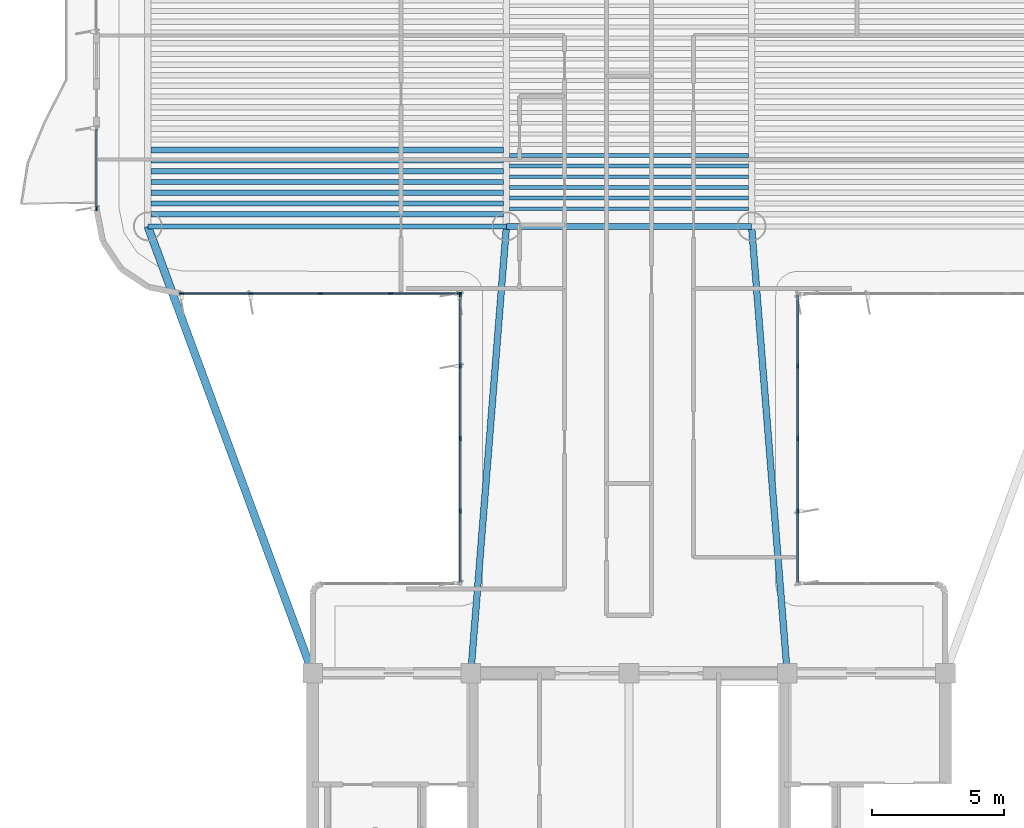
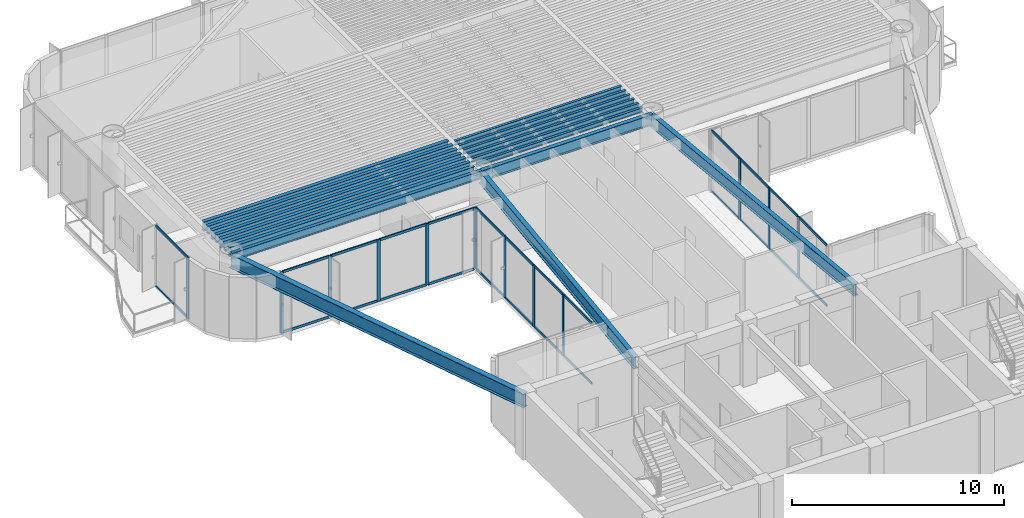
# One storey, part 3 of 14: 39 members, 18 beams, 4 elements without a shape of their own.
"""IFC4 building model written with IfcOpenShell, lengths in metres."""

import ifcopenshell
import ifcopenshell.guid

model = None  # the IFC model being written
_history = None  # IfcOwnerHistory: only IFC2X3 demands one
_inside = {}  # id of a spatial element -> (the spatial element, [elements in it])
_under = {}  # id of a project, library or spatial element -> (it, [spatial elements below it])
_declared = {}  # id of a project -> (the project, [libraries it declares])
_typed = {}  # id of a type object -> (the type object, [elements of that type])
_made_of = {}  # id of a material, layer set ... -> (it, [elements and type objects made of it])


def new_model(schema):
    """Start an empty IFC model of exactly this schema.

    Asked for "IFC4X3", IfcOpenShell would pick the latest addendum, in which some entities
    have other attributes; the version numbers below select the first issue.
    IFC2X3 requires an IfcOwnerHistory on every rooted entity: one is made here for all.
    """
    global model, _history
    if schema == "IFC4X3":
        model = ifcopenshell.file(schema_version=(4, 3, 0, 0))
    else:
        model = ifcopenshell.file(schema=schema)
    _inside.clear()
    _under.clear()
    _declared.clear()
    _typed.clear()
    _made_of.clear()
    _history = None
    if model.schema == "IFC2X3":
        org = make("IfcOrganization", Name="unknown")
        user = make(
            "IfcPersonAndOrganization",
            ThePerson=make("IfcPerson", FamilyName="unknown"),
            TheOrganization=org,
        )
        app = make(
            "IfcApplication",
            ApplicationDeveloper=org,
            Version="unknown",
            ApplicationFullName="unknown",
            ApplicationIdentifier="unknown",
        )
        _history = make(
            "IfcOwnerHistory",
            OwningUser=user,
            OwningApplication=app,
            ChangeAction="ADDED",
            CreationDate=0,
        )
    return model


def make(cls, **values):
    """One entity of the class cls with the attributes given. An attribute that is None is left unset."""
    return model.create_entity(
        cls, **{name: value for name, value in values.items() if value is not None}
    )


def rooted(cls, **values):
    """An entity with a GlobalId (a new one), such as an element, a storey or a relation."""
    return make(cls, GlobalId=ifcopenshell.guid.new(), OwnerHistory=_history, **values)


def si_unit(unit_type, name, prefix=None):
    """IfcSIUnit, for example si_unit("LENGTHUNIT", "METRE", prefix="MILLI")."""
    return make("IfcSIUnit", UnitType=unit_type, Prefix=prefix, Name=name)


def assignment(units):
    """IfcUnitAssignment: the units of a project."""
    return None if units is None else make("IfcUnitAssignment", Units=units)


def point(xyz):
    """IfcCartesianPoint."""
    return None if xyz is None else make("IfcCartesianPoint", Coordinates=xyz)


def direction(xyz):
    """IfcDirection."""
    return None if xyz is None else make("IfcDirection", DirectionRatios=xyz)


def frame(location, z_axis=None, x_axis=None):
    """IfcAxis2Placement3D, a coordinate frame: its origin and axes. An axis left out is left unset."""
    return make(
        "IfcAxis2Placement3D",
        Location=point(location),
        Axis=direction(z_axis),
        RefDirection=direction(x_axis),
    )


def frame_2d(location, x_axis=None):
    """IfcAxis2Placement2D, a coordinate frame in the plane: its origin and x axis."""
    return make(
        "IfcAxis2Placement2D", Location=point(location), RefDirection=direction(x_axis)
    )


def origin():
    """The frame at (0, 0, 0) with its axes left unset."""
    return frame((0.0, 0.0, 0.0))


def origin_2d():
    """The frame at (0, 0) in the plane with its x axis left unset."""
    return frame_2d((0.0, 0.0))


def place(relative_to, where):
    """IfcLocalPlacement: puts the frame where relative to a parent placement (None: the world)."""
    return make(
        "IfcLocalPlacement", PlacementRelTo=relative_to, RelativePlacement=where
    )


def context(
    kind, dimensions, precision=None, world=None, true_north=None, identifier=None
):
    """IfcGeometricRepresentationContext, for example the 3D "Model" context."""
    return make(
        "IfcGeometricRepresentationContext",
        ContextIdentifier=identifier,
        ContextType=kind,
        CoordinateSpaceDimension=dimensions,
        Precision=precision,
        WorldCoordinateSystem=world,
        TrueNorth=true_north,
    )


def subcontext(parent, identifier, kind, view, scale=None):
    """IfcGeometricRepresentationSubContext, for example "Body" below "Model"."""
    return make(
        "IfcGeometricRepresentationSubContext",
        ContextIdentifier=identifier,
        ContextType=kind,
        ParentContext=parent,
        TargetScale=scale,
        TargetView=view,
    )


def project(units=None, contexts=None):
    """IfcProject with its units and contexts."""
    return rooted(
        "IfcProject",
        Name="project",
        RepresentationContexts=contexts,
        UnitsInContext=assignment(units),
    )


def spatial(cls, under=None, at=None, **own):
    """A site, building, storey or space (cls), placed at a placement, below another one or the project."""
    s = rooted(cls, ObjectPlacement=at, **own)
    if under is not None:
        _under.setdefault(under.id(), (under, []))[1].append(s)
    return s


def profile(cls, at=None, kind="AREA", **sizes):
    """A parametric profile (cls). Its sizes go by their IFC names, for example OverallWidth=200.0."""
    return make(cls, ProfileType=kind, Position=at, **sizes)


def rectangle(**sizes):
    """IfcRectangleProfileDef."""
    return profile("IfcRectangleProfileDef", **sizes)


def i_section(**sizes):
    """IfcIShapeProfileDef."""
    return profile("IfcIShapeProfileDef", **sizes)


def extrude(swept, where, along, depth):
    """IfcExtrudedAreaSolid: the profile swept, set in the frame where, extruded along a direction by depth."""
    return make(
        "IfcExtrudedAreaSolid",
        SweptArea=swept,
        Position=where,
        ExtrudedDirection=direction(along),
        Depth=depth,
    )


def shape(context_of_items, identifier, shape_type, items):
    """IfcShapeRepresentation: the items that make up one representation, for example the "Body"."""
    return make(
        "IfcShapeRepresentation",
        ContextOfItems=context_of_items,
        RepresentationIdentifier=identifier,
        RepresentationType=shape_type,
        Items=items,
    )


def source(mapping_origin, context_of_items, identifier, shape_type, items):
    """IfcRepresentationMap: a shape defined once, which mapped items show again and again."""
    return make(
        "IfcRepresentationMap",
        MappingOrigin=mapping_origin,
        MappedRepresentation=shape(context_of_items, identifier, shape_type, items),
    )


def transform(
    local_origin,
    x_axis=None,
    y_axis=None,
    z_axis=None,
    scale=None,
    scale2=None,
    scale3=None,
    uniform=True,
):
    """IfcCartesianTransformationOperator3D, or its non-uniform kind. x_axis, y_axis, z_axis: its Axis1, 2, 3."""
    if uniform:
        return make(
            "IfcCartesianTransformationOperator3D",
            Axis1=direction(x_axis),
            Axis2=direction(y_axis),
            LocalOrigin=point(local_origin),
            Scale=scale,
            Axis3=direction(z_axis),
        )
    return make(
        "IfcCartesianTransformationOperator3DnonUniform",
        Axis1=direction(x_axis),
        Axis2=direction(y_axis),
        LocalOrigin=point(local_origin),
        Scale=scale,
        Axis3=direction(z_axis),
        Scale2=scale2,
        Scale3=scale3,
    )


def mapped(mapping_source, mapping_target):
    """IfcMappedItem: shows the shape of a source again, moved by a transform."""
    return make(
        "IfcMappedItem", MappingSource=mapping_source, MappingTarget=mapping_target
    )


def material(Name=None, Category=None):
    """IfcMaterial."""
    return make("IfcMaterial", Name=Name, Category=Category)


def layer(
    of_material, thickness, ventilated=None, Name=None, Category=None, Priority=None
):
    """IfcMaterialLayer: one layer of a wall or slab, of a material (None: an air gap)."""
    return make(
        "IfcMaterialLayer",
        Material=of_material,
        LayerThickness=thickness,
        IsVentilated=ventilated,
        Name=Name,
        Category=Category,
        Priority=Priority,
    )


def layer_set(layers, Name=None):
    """IfcMaterialLayerSet."""
    return make("IfcMaterialLayerSet", MaterialLayers=layers, LayerSetName=Name)


def material_profile(
    of_material, cross_section, Name=None, Category=None, Priority=None
):
    """IfcMaterialProfile: a cross section and its material."""
    return make(
        "IfcMaterialProfile",
        Name=Name,
        Material=of_material,
        Profile=cross_section,
        Priority=Priority,
        Category=Category,
    )


def profile_set(profiles, Name=None, composite=None):
    """IfcMaterialProfileSet."""
    return make(
        "IfcMaterialProfileSet",
        Name=Name,
        MaterialProfiles=profiles,
        CompositeProfile=composite,
    )


def made_of(thing, what):
    """Note that an element or type object is made of a material, layer set ...; save() writes the relation."""
    if what is not None:
        _made_of.setdefault(what.id(), (what, []))[1].append(thing)
    return thing


def type_object(cls, material=None, **own):
    """A type object (cls), such as IfcWallType, which elements share."""
    return made_of(rooted(cls, **own), material)


def element(
    cls,
    number,
    at=None,
    inside=None,
    cuts=None,
    type_object=None,
    material=None,
    context=None,
    identifier="Body",
    shape_type=None,
    held_by="IfcProductDefinitionShape",
    body=None,
    shapes=None,
    **own,
):
    """One element of the class cls, such as IfcWall. Its Tag is "e" and its number.

    at: its placement. inside: the storey or other place that contains it. cuts: it is an
    opening in that element (IfcRelVoidsElement). A single representation is given by context,
    identifier, shape_type and body (its items); several are given by shapes. held_by: the class
    of the entity that holds the representations. save() writes the other relations.
    """
    e = rooted(cls, Tag="e%d" % number, ObjectPlacement=at, **own)
    if body is not None:
        shapes = [shape(context, identifier, shape_type, body)]
    if shapes is not None:
        e.Representation = make(held_by, Representations=shapes)
    if inside is not None:
        _inside.setdefault(inside.id(), (inside, []))[1].append(e)
    if cuts is not None:
        rooted(
            "IfcRelVoidsElement", RelatingBuildingElement=cuts, RelatedOpeningElement=e
        )
    if type_object is not None:
        _typed.setdefault(type_object.id(), (type_object, []))[1].append(e)
    return made_of(e, material)


def aggregate(whole, parts):
    """IfcRelAggregates: a whole, such as a stair, and the parts it consists of."""
    return rooted("IfcRelAggregates", RelatingObject=whole, RelatedObjects=parts)


def save(model, path):
    """Write the relations noted so far, then the file.

    IfcRelAggregates (storeys below a building ...), IfcRelContainedInSpatialStructure (elements
    in a storey), IfcRelDefinesByType, IfcRelAssociatesMaterial and IfcRelDeclares: one each for
    every whole, place, type object, material and project.
    """
    for whole, parts in _under.values():
        aggregate(whole, parts)
    for where, things in _inside.values():
        rooted(
            "IfcRelContainedInSpatialStructure",
            RelatedElements=things,
            RelatingStructure=where,
        )
    for kind, things in _typed.values():
        rooted("IfcRelDefinesByType", RelatedObjects=things, RelatingType=kind)
    for what, things in _made_of.values():
        rooted("IfcRelAssociatesMaterial", RelatedObjects=things, RelatingMaterial=what)
    for by, libraries in _declared.values():
        rooted("IfcRelDeclares", RelatingContext=by, RelatedDefinitions=libraries)
    model.write(path)


model = new_model("IFC4")

# Units and contexts
model_context = context("Model", 3, precision=1e-05, world=origin(), true_north=direction((0.0, 1.0)))
body_context = subcontext(model_context, "Body", "Model", "MODEL_VIEW")
ifc_project = project(units=[si_unit("LENGTHUNIT", "METRE"), si_unit("AREAUNIT", "SQUARE_METRE"), si_unit("VOLUMEUNIT", "CUBIC_METRE"), si_unit("PLANEANGLEUNIT", "RADIAN"), si_unit("MASSUNIT", "GRAM", prefix="KILO")], contexts=[model_context])

# Site, building, storey
site_placement = place(None, origin())
site = spatial("IfcSite", under=ifc_project, at=site_placement, CompositionType="ELEMENT")
building_placement = place(site_placement, origin())
building = spatial("IfcBuilding", under=site, at=building_placement, Name="Brelvock Crest Care Tower", CompositionType="ELEMENT")
storey_placement = place(building_placement, frame((0.0, 0.0, 198.0)))
storey = spatial("IfcBuildingStorey", under=building, at=storey_placement, Name="L50", CompositionType="ELEMENT", Elevation=198.0)

# Beams
ifc_material_1 = material(Name="Steel Grade 350", Category="steel")
ifc_material_profile_1 = material_profile(ifc_material_1, i_section(OverallWidth=0.22900390625, OverallDepth=0.612060546875, WebThickness=0.011962890625, FlangeThickness=0.01953125, FilletRadius=0.013916015625, at=origin_2d()), Name="610UB125")
ifc_profile_set_1 = profile_set([ifc_material_profile_1], Name="Steel Grade 350")
beam_type_1 = type_object("IfcBeamType", Name="BM-G1", PredefinedType="BEAM", material=ifc_profile_set_1)
shared_shape_1 = source(origin(), body_context, "Body", "SweptSolid", [
    extrude(i_section(OverallWidth=0.22900390625, OverallDepth=0.612060546875, WebThickness=0.011962890625, FlangeThickness=0.01953125, FilletRadius=0.013916015625, at=origin_2d()), origin(), (0.0, 0.0, 1.0), 9.2998046875),
])
beam_1_placement = place(storey_placement, frame((31.35009765625, 34.949951171875, 3.22412109375), z_axis=(1.0, 0.0, 0.0), x_axis=(0.0, 1.0, 0.0)))
element("IfcBeam", 1, at=beam_1_placement, inside=storey, type_object=beam_type_1, Name="BM-TWR-L50-05", PredefinedType="BEAM", context=body_context, shape_type="MappedRepresentation", body=[
    mapped(shared_shape_1, transform((0.0, 0.0, 0.0), x_axis=(1.0, 0.0, 0.0), y_axis=(0.0, 1.0, 0.0), z_axis=(0.0, 0.0, 1.0), scale=1.0)),
])
ifc_material_profile_2 = material_profile(ifc_material_1, i_section(OverallWidth=0.14599609375, OverallDepth=0.256103515625, WebThickness=0.00634765625, FlangeThickness=0.010986328125, FilletRadius=0.0087890625, at=origin_2d()), Name="250UB37.3")
ifc_profile_set_2 = profile_set([ifc_material_profile_2], Name="Steel Grade 350")
beam_type_2 = type_object("IfcBeamType", Name="BM-J3", PredefinedType="JOIST", material=ifc_profile_set_2)
shared_shape_2 = source(origin(), body_context, "Body", "SweptSolid", [
    extrude(i_section(OverallWidth=0.14599609375, OverallDepth=0.256103515625, WebThickness=0.00634765625, FlangeThickness=0.010986328125, FilletRadius=0.0087890625, at=origin_2d()), origin(), (0.0, 0.0, 1.0), 9.06982421875),
])
for number, where, z_axis, x_axis, name in (
    (2, (31.465087890625, 35.618896484375, 3.402099609375), (1.0, 0.0, 0.0), (0.0, 1.0, 0.0), "BM-JH-L50-1"),
    (3, (31.465087890625, 36.02392578125, 3.402099609375), (1.0, 0.0, 0.0), (0.0, 1.0, 0.0), "BM-JH-L50-2"),
    (4, (31.465087890625, 36.42919921875, 3.402099609375), (1.0, 0.0, 0.0), (0.0, 1.0, 0.0), "BM-JH-L50-3"),
    (5, (31.465087890625, 36.834228515625, 3.402099609375), (1.0, 0.0, 0.0), (0.0, 1.0, 0.0), "BM-JH-L50-4"),
    (6, (31.465087890625, 37.239501953125, 3.402099609375), (1.0, 0.0, 0.0), (0.0, 1.0, 0.0), "BM-JH-L50-5"),
    (7, (31.465087890625, 37.64453125, 3.402099609375), (1.0, 0.0, 0.0), (0.0, 1.0, 0.0), "BM-JH-L50-6"),
):
    element("IfcBeam", number, at=place(storey_placement, frame(where, z_axis=z_axis, x_axis=x_axis)), inside=storey, type_object=beam_type_2, Name=name, PredefinedType="JOIST", context=body_context, shape_type="MappedRepresentation", body=[
        mapped(shared_shape_2, transform((0.0, 0.0, 0.0), x_axis=(1.0, 0.0, 0.0), y_axis=(0.0, 1.0, 0.0), z_axis=(0.0, 0.0, 1.0), scale=1.0)),
    ])
ifc_material_profile_3 = material_profile(ifc_material_1, i_section(OverallWidth=0.208984375, OverallDepth=0.532958984375, WebThickness=0.01025390625, FlangeThickness=0.015625, FilletRadius=0.013916015625, at=origin_2d()), Name="530UB92.4")
ifc_profile_set_3 = profile_set([ifc_material_profile_3], Name="Steel Grade 350")
beam_type_3 = type_object("IfcBeamType", Name="BM-G2", PredefinedType="BEAM", material=ifc_profile_set_3)
shared_shape_3 = source(origin(), body_context, "Body", "SweptSolid", [
    extrude(i_section(OverallWidth=0.208984375, OverallDepth=0.532958984375, WebThickness=0.01025390625, FlangeThickness=0.015625, FilletRadius=0.013916015625, at=origin_2d()), origin(), (0.0, 0.0, 1.0), 13.3701171875),
])
for number, where, z_axis, x_axis, name in (
    (8, (17.864990234375, 35.416259765625, 3.263427734375), (1.0, 0.0, 0.0), (0.0, 1.0, 0.0), "BM-JW-L50-1"),
    (9, (17.864990234375, 36.2265625, 3.263427734375), (1.0, 0.0, 0.0), (0.0, 1.0, 0.0), "BM-JW-L50-3"),
    (10, (17.864990234375, 37.036865234375, 3.263427734375), (1.0, 0.0, 0.0), (0.0, 1.0, 0.0), "BM-JW-L50-5"),
    (11, (17.864990234375, 37.84716796875, 3.263427734375), (1.0, 0.0, 0.0), (0.0, 1.0, 0.0), "BM-JW-L50-7"),
):
    element("IfcBeam", number, at=place(storey_placement, frame(where, z_axis=z_axis, x_axis=x_axis)), inside=storey, type_object=beam_type_3, Name=name, PredefinedType="BEAM", context=body_context, shape_type="MappedRepresentation", body=[
        mapped(shared_shape_3, transform((0.0, 0.0, 0.0), x_axis=(1.0, 0.0, 0.0), y_axis=(0.0, 1.0, 0.0), z_axis=(0.0, 0.0, 1.0), scale=1.0)),
    ])
ifc_material_profile_4 = material_profile(ifc_material_1, i_section(OverallWidth=0.19091796875, OverallDepth=0.4599609375, WebThickness=0.010009765625, FlangeThickness=0.01611328125, FilletRadius=0.011474609375, at=origin_2d()), Name="460UB82.1")
ifc_profile_set_4 = profile_set([ifc_material_profile_4], Name="Steel Grade 350")
beam_type_4 = type_object("IfcBeamType", Name="BM-G3", PredefinedType="BEAM", material=ifc_profile_set_4)
shared_shape_4 = source(origin(), body_context, "Body", "SweptSolid", [
    extrude(i_section(OverallWidth=0.19091796875, OverallDepth=0.4599609375, WebThickness=0.010009765625, FlangeThickness=0.01611328125, FilletRadius=0.011474609375, at=origin_2d()), origin(), (0.0, 0.0, 1.0), 13.3701171875),
])
for number, where, z_axis, x_axis, name in (
    (12, (17.864990234375, 35.8212890625, 3.300048828125), (1.0, 0.0, 0.0), (0.0, 1.0, 0.0), "BM-JW-L50-2"),
    (13, (17.864990234375, 36.631591796875, 3.300048828125), (1.0, 0.0, 0.0), (0.0, 1.0, 0.0), "BM-JW-L50-4"),
    (14, (17.864990234375, 37.44189453125, 3.300048828125), (1.0, 0.0, 0.0), (0.0, 1.0, 0.0), "BM-JW-L50-6"),
):
    element("IfcBeam", number, at=place(storey_placement, frame(where, z_axis=z_axis, x_axis=x_axis)), inside=storey, type_object=beam_type_4, Name=name, PredefinedType="BEAM", context=body_context, shape_type="MappedRepresentation", body=[
        mapped(shared_shape_4, transform((0.0, 0.0, 0.0), x_axis=(1.0, 0.0, 0.0), y_axis=(0.0, 1.0, 0.0), z_axis=(0.0, 0.0, 1.0), scale=1.0)),
    ])
ifc_material_profile_5 = material_profile(ifc_material_1, i_section(OverallWidth=0.19091796875, OverallDepth=0.4599609375, WebThickness=0.010009765625, FlangeThickness=0.01611328125, FilletRadius=0.011474609375, at=origin_2d()), Name="460UB82.1")
ifc_profile_set_5 = profile_set([ifc_material_profile_5], Name="Steel Grade 350")
beam_type_5 = type_object("IfcBeamType", Name="BM-SP2", PredefinedType="SPANDREL", material=ifc_profile_set_5)
shared_shape_5 = source(origin(), body_context, "Body", "SweptSolid", [
    extrude(i_section(OverallWidth=0.19091796875, OverallDepth=0.4599609375, WebThickness=0.010009765625, FlangeThickness=0.01611328125, FilletRadius=0.011474609375, at=origin_2d()), origin(), (0.0, 0.0, 1.0), 13.60009765625),
])
beam_2_placement = place(storey_placement, frame((17.75, 34.949951171875, 3.300048828125), z_axis=(1.0, 0.0, 0.0), x_axis=(0.0, 1.0, 0.0)))
element("IfcBeam", 15, at=beam_2_placement, inside=storey, type_object=beam_type_5, Name="BM-TWR-L50-03", PredefinedType="SPANDREL", context=body_context, shape_type="MappedRepresentation", body=[
    mapped(shared_shape_5, transform((0.0, 0.0, 0.0), x_axis=(1.0, 0.0, 0.0), y_axis=(0.0, 1.0, 0.0), z_axis=(0.0, 0.0, 1.0), scale=1.0)),
])
ifc_material_profile_6 = material_profile(ifc_material_1, i_section(OverallWidth=0.25, OverallDepth=0.699951171875, WebThickness=0.011962890625, FlangeThickness=0.02001953125, at=origin_2d()), Name="700WB150")
ifc_profile_set_6 = profile_set([ifc_material_profile_6], Name="Steel Grade 350")
beam_type_6 = type_object("IfcBeamType", Name="BM-G4", PredefinedType="BEAM", material=ifc_profile_set_6)
shared_shape_6 = source(origin(), body_context, "Body", "SweptSolid", [
    extrude(i_section(OverallWidth=0.25, OverallDepth=0.699951171875, WebThickness=0.011962890625, FlangeThickness=0.02001953125, at=origin_2d()), origin(), (0.0, 0.0, 1.0), 17.003662109375),
])
for number, where, z_axis, x_axis, name in (
    (16, (30.0, 18.0, 3.179931640625), (0.079400530776, 0.996842793881, 0.0), (-0.996842793881, 0.079400530776, 0.0), "BM-THRW-L50"),
    (17, (42.0, 18.0, 3.179931640625), (-0.079400530776, 0.996842793881, 0.0), (-0.996842793881, -0.079400530776, 0.0), "BM-THRE-L50"),
):
    element("IfcBeam", number, at=place(storey_placement, frame(where, z_axis=z_axis, x_axis=x_axis)), inside=storey, type_object=beam_type_6, Name=name, PredefinedType="BEAM", context=body_context, shape_type="MappedRepresentation", body=[
        mapped(shared_shape_6, transform((0.0, 0.0, 0.0), x_axis=(1.0, 0.0, 0.0), y_axis=(0.0, 1.0, 0.0), z_axis=(0.0, 0.0, 1.0), scale=1.0)),
    ])
ifc_material_profile_7 = material_profile(ifc_material_1, i_section(OverallWidth=0.300048828125, OverallDepth=0.800048828125, WebThickness=0.013916015625, FlangeThickness=0.02197265625, at=origin_2d()), Name="800WB192")
ifc_profile_set_7 = profile_set([ifc_material_profile_7], Name="Steel Grade 350")
beam_type_7 = type_object("IfcBeamType", Name="BM-G5", PredefinedType="BEAM", material=ifc_profile_set_7)
shared_shape_7 = source(origin(), body_context, "Body", "SweptSolid", [
    extrude(i_section(OverallWidth=0.300048828125, OverallDepth=0.800048828125, WebThickness=0.013916015625, FlangeThickness=0.02197265625, at=origin_2d()), origin(), (0.0, 0.0, 1.0), 18.0654296875),
])
beam_3_placement = place(storey_placement, frame((24.0, 18.0, 3.1298828125), z_axis=(-0.345962741309, 0.938248251597, 0.0), x_axis=(-0.938248251597, -0.345962741309, 0.0)))
element("IfcBeam", 18, at=beam_3_placement, inside=storey, type_object=beam_type_7, Name="BM-THRO-W-L50", PredefinedType="BEAM", context=body_context, shape_type="MappedRepresentation", body=[
    mapped(shared_shape_7, transform((0.0, 0.0, 0.0), x_axis=(1.0, 0.0, 0.0), y_axis=(0.0, 1.0, 0.0), z_axis=(0.0, 0.0, 1.0), scale=1.0)),
])

# Curtain wall, members
ifc_material_2 = material(Name="Dark Glass Double Glazed Low-E", Category="glass")
ifc_layer = layer(ifc_material_2, 0.22509765625, Name="CWS-4")
ifc_layer_set = layer_set([ifc_layer], Name="Dark Glass Double Glazed Low-E")
curtain_wall_type = type_object("IfcCurtainWallType", Name="CWS-4", PredefinedType="NOTDEFINED", material=ifc_layer_set)
curtain_wall_1_placement = place(storey_placement, origin())
curtain_wall_1 = element("IfcCurtainWall", 19, at=curtain_wall_1_placement, inside=storey, type_object=curtain_wall_type, Name="L50 Curtain Wall E11", PredefinedType="NOTDEFINED")
ifc_material_3 = material(Name="Aluminium 6063-T6", Category="aluminium")
ifc_material_profile_8 = material_profile(ifc_material_3, rectangle(XDim=0.06005859375, YDim=0.179931640625, at=origin_2d()), Name="ALU60x180")
ifc_profile_set_8 = profile_set([ifc_material_profile_8], Name="Aluminium 6063-T6")
member_type_1 = type_object("IfcMemberType", Name="CWM-2", PredefinedType="MULLION", material=ifc_profile_set_8)
shared_shape_8 = source(origin(), body_context, "Body", "SweptSolid", [
    extrude(rectangle(XDim=0.06005859375, YDim=0.179931640625, at=origin_2d()), origin(), (0.0, 0.0, 1.0), 3.530029296875),
])
member_1_placement = place(storey_placement, frame((29.60009765625, 24.14990234375, 0.0), z_axis=(0.0, 0.0, 1.0), x_axis=(-1.0, 0.0, 0.0)))
member_1 = element("IfcMember", 20, at=member_1_placement, type_object=member_type_1, Name="CW-4 mullion 2", PredefinedType="MULLION", context=body_context, shape_type="MappedRepresentation", body=[
    mapped(shared_shape_8, transform((0.0, 0.0, 0.0), x_axis=(1.0, 0.0, 0.0), y_axis=(0.0, 1.0, 0.0), z_axis=(0.0, 0.0, 1.0), scale=1.0)),
])
member_2_placement = place(storey_placement, frame((29.60009765625, 26.89990234375, 0.0), z_axis=(0.0, 0.0, 1.0), x_axis=(-1.0, 0.0, 0.0)))
member_2 = element("IfcMember", 21, at=member_2_placement, type_object=member_type_1, Name="CW-4 mullion 3", PredefinedType="MULLION", context=body_context, shape_type="MappedRepresentation", body=[
    mapped(shared_shape_8, transform((0.0, 0.0, 0.0), x_axis=(1.0, 0.0, 0.0), y_axis=(0.0, 1.0, 0.0), z_axis=(0.0, 0.0, 1.0), scale=1.0)),
])
member_3_placement = place(storey_placement, frame((29.60009765625, 29.64990234375, 0.0), z_axis=(0.0, 0.0, 1.0), x_axis=(-1.0, 0.0, 0.0)))
member_3 = element("IfcMember", 22, at=member_3_placement, type_object=member_type_1, Name="CW-4 mullion 4", PredefinedType="MULLION", context=body_context, shape_type="MappedRepresentation", body=[
    mapped(shared_shape_8, transform((0.0, 0.0, 0.0), x_axis=(1.0, 0.0, 0.0), y_axis=(0.0, 1.0, 0.0), z_axis=(0.0, 0.0, 1.0), scale=1.0)),
])
member_4_placement = place(storey_placement, frame((29.60009765625, 32.3701171875, 0.0), z_axis=(0.0, 0.0, 1.0), x_axis=(-1.0, 0.0, 0.0)))
member_4 = element("IfcMember", 23, at=member_4_placement, type_object=member_type_1, Name="CW-4 mullion 5", PredefinedType="MULLION", context=body_context, shape_type="MappedRepresentation", body=[
    mapped(shared_shape_8, transform((0.0, 0.0, 0.0), x_axis=(1.0, 0.0, 0.0), y_axis=(0.0, 1.0, 0.0), z_axis=(0.0, 0.0, 1.0), scale=1.0)),
])

curtain_wall_2_placement = place(storey_placement, origin())
curtain_wall_2 = element("IfcCurtainWall", 24, at=curtain_wall_2_placement, inside=storey, type_object=curtain_wall_type, Name="L50 Curtain Wall E12", PredefinedType="NOTDEFINED")
member_5_placement = place(storey_placement, frame((29.570068359375, 32.39990234375, 0.0), z_axis=(0.0, 0.0, 1.0), x_axis=(0.0, -1.0, 0.0)))
member_5 = element("IfcMember", 25, at=member_5_placement, type_object=member_type_1, Name="CW-4 mullion 1", PredefinedType="MULLION", context=body_context, shape_type="MappedRepresentation", body=[
    mapped(shared_shape_8, transform((0.0, 0.0, 0.0), x_axis=(1.0, 0.0, 0.0), y_axis=(0.0, 1.0, 0.0), z_axis=(0.0, 0.0, 1.0), scale=1.0)),
])
member_6_placement = place(storey_placement, frame((26.949951171875, 32.39990234375, 0.0), z_axis=(0.0, 0.0, 1.0), x_axis=(0.0, -1.0, 0.0)))
member_6 = element("IfcMember", 26, at=member_6_placement, type_object=member_type_1, Name="CW-4 mullion 2", PredefinedType="MULLION", context=body_context, shape_type="MappedRepresentation", body=[
    mapped(shared_shape_8, transform((0.0, 0.0, 0.0), x_axis=(1.0, 0.0, 0.0), y_axis=(0.0, 1.0, 0.0), z_axis=(0.0, 0.0, 1.0), scale=1.0)),
])
member_7_placement = place(storey_placement, frame((24.300048828125, 32.39990234375, 0.0), z_axis=(0.0, 0.0, 1.0), x_axis=(0.0, -1.0, 0.0)))
member_7 = element("IfcMember", 27, at=member_7_placement, type_object=member_type_1, Name="CW-4 mullion 3", PredefinedType="MULLION", context=body_context, shape_type="MappedRepresentation", body=[
    mapped(shared_shape_8, transform((0.0, 0.0, 0.0), x_axis=(1.0, 0.0, 0.0), y_axis=(0.0, 1.0, 0.0), z_axis=(0.0, 0.0, 1.0), scale=1.0)),
])
member_8_placement = place(storey_placement, frame((21.64990234375, 32.39990234375, 0.0), z_axis=(0.0, 0.0, 1.0), x_axis=(0.0, -1.0, 0.0)))
member_8 = element("IfcMember", 28, at=member_8_placement, type_object=member_type_1, Name="CW-4 mullion 4", PredefinedType="MULLION", context=body_context, shape_type="MappedRepresentation", body=[
    mapped(shared_shape_8, transform((0.0, 0.0, 0.0), x_axis=(1.0, 0.0, 0.0), y_axis=(0.0, 1.0, 0.0), z_axis=(0.0, 0.0, 1.0), scale=1.0)),
])
member_9_placement = place(storey_placement, frame((19.030029296875, 32.39990234375, 0.0), z_axis=(0.0, 0.0, 1.0), x_axis=(0.0, -1.0, 0.0)))
member_9 = element("IfcMember", 29, at=member_9_placement, type_object=member_type_1, Name="CW-4 mullion 5", PredefinedType="MULLION", context=body_context, shape_type="MappedRepresentation", body=[
    mapped(shared_shape_8, transform((0.0, 0.0, 0.0), x_axis=(1.0, 0.0, 0.0), y_axis=(0.0, 1.0, 0.0), z_axis=(0.0, 0.0, 1.0), scale=1.0)),
])

# Curtain wall, member
curtain_wall_3_placement = place(storey_placement, origin())
curtain_wall_3 = element("IfcCurtainWall", 30, at=curtain_wall_3_placement, inside=storey, type_object=curtain_wall_type, Name="L50 Curtain Wall E17A", PredefinedType="NOTDEFINED")
member_10_placement = place(storey_placement, frame((15.800048828125, 35.6298828125, 0.0), z_axis=(0.0, 0.0, 1.0), x_axis=(-1.0, 0.0, 0.0)))
member_10 = element("IfcMember", 31, at=member_10_placement, type_object=member_type_1, Name="CW-4 mullion 1", PredefinedType="MULLION", context=body_context, shape_type="MappedRepresentation", body=[
    mapped(shared_shape_8, transform((0.0, 0.0, 0.0), x_axis=(1.0, 0.0, 0.0), y_axis=(0.0, 1.0, 0.0), z_axis=(0.0, 0.0, 1.0), scale=1.0)),
])

# Curtain wall, members
curtain_wall_4_placement = place(storey_placement, origin())
curtain_wall_4 = element("IfcCurtainWall", 32, at=curtain_wall_4_placement, inside=storey, type_object=curtain_wall_type, Name="L50 Curtain Wall E45", PredefinedType="NOTDEFINED")
member_11_placement = place(storey_placement, frame((42.39990234375, 29.64990234375, 0.0), z_axis=(0.0, 0.0, 1.0), x_axis=(1.0, 0.0, 0.0)))
member_11 = element("IfcMember", 33, at=member_11_placement, type_object=member_type_1, Name="CW-4 mullion 2", PredefinedType="MULLION", context=body_context, shape_type="MappedRepresentation", body=[
    mapped(shared_shape_8, transform((0.0, 0.0, 0.0), x_axis=(1.0, 0.0, 0.0), y_axis=(0.0, 1.0, 0.0), z_axis=(0.0, 0.0, 1.0), scale=1.0)),
])
member_12_placement = place(storey_placement, frame((42.39990234375, 26.89990234375, 0.0), z_axis=(0.0, 0.0, 1.0), x_axis=(1.0, 0.0, 0.0)))
member_12 = element("IfcMember", 34, at=member_12_placement, type_object=member_type_1, Name="CW-4 mullion 3", PredefinedType="MULLION", context=body_context, shape_type="MappedRepresentation", body=[
    mapped(shared_shape_8, transform((0.0, 0.0, 0.0), x_axis=(1.0, 0.0, 0.0), y_axis=(0.0, 1.0, 0.0), z_axis=(0.0, 0.0, 1.0), scale=1.0)),
])
member_13_placement = place(storey_placement, frame((42.39990234375, 24.14990234375, 0.0), z_axis=(0.0, 0.0, 1.0), x_axis=(1.0, 0.0, 0.0)))
member_13 = element("IfcMember", 35, at=member_13_placement, type_object=member_type_1, Name="CW-4 mullion 4", PredefinedType="MULLION", context=body_context, shape_type="MappedRepresentation", body=[
    mapped(shared_shape_8, transform((0.0, 0.0, 0.0), x_axis=(1.0, 0.0, 0.0), y_axis=(0.0, 1.0, 0.0), z_axis=(0.0, 0.0, 1.0), scale=1.0)),
])

# Member
ifc_material_profile_9 = material_profile(ifc_material_3, rectangle(XDim=0.06005859375, YDim=0.139892578125, at=origin_2d()), Name="ALU60x140")
ifc_profile_set_9 = profile_set([ifc_material_profile_9], Name="Aluminium 6063-T6")
member_type_2 = type_object("IfcMemberType", Name="CWT-2", PredefinedType="USERDEFINED", material=ifc_profile_set_9)
shared_shape_9 = source(origin(), body_context, "Body", "SweptSolid", [
    extrude(rectangle(XDim=0.06005859375, YDim=0.139892578125, at=origin_2d()), origin(), (0.0, 0.0, 1.0), 2.66015625),
])
member_14_placement = place(storey_placement, frame((29.60009765625, 21.4599609375, 0.030029296875), z_axis=(0.0, 1.0, 0.0), x_axis=(-1.0, 0.0, 0.0)))
member_14 = element("IfcMember", 36, at=member_14_placement, type_object=member_type_2, Name="CW-4 transom 1.1", ObjectType="TRANSOM", PredefinedType="USERDEFINED", context=body_context, shape_type="MappedRepresentation", body=[
    mapped(shared_shape_9, transform((0.0, 0.0, 0.0), x_axis=(1.0, 0.0, 0.0), y_axis=(0.0, 1.0, 0.0), z_axis=(0.0, 0.0, 1.0), scale=1.0)),
])

member_15_placement = place(storey_placement, frame((29.60009765625, 21.4599609375, 3.5), z_axis=(0.0, 1.0, 0.0), x_axis=(-1.0, 0.0, 0.0)))
member_15 = element("IfcMember", 37, at=member_15_placement, type_object=member_type_2, Name="CW-4 transom 1.2", ObjectType="TRANSOM", PredefinedType="USERDEFINED", context=body_context, shape_type="MappedRepresentation", body=[
    mapped(shared_shape_9, transform((0.0, 0.0, 0.0), x_axis=(1.0, 0.0, 0.0), y_axis=(0.0, 1.0, 0.0), z_axis=(0.0, 0.0, 1.0), scale=1.0)),
])

member_16_placement = place(storey_placement, frame((29.60009765625, 29.679931640625, 0.030029296875), z_axis=(0.0, 1.0, 0.0), x_axis=(-1.0, 0.0, 0.0)))
member_16 = element("IfcMember", 38, at=member_16_placement, type_object=member_type_2, Name="CW-4 transom 4.1", ObjectType="TRANSOM", PredefinedType="USERDEFINED", context=body_context, shape_type="MappedRepresentation", body=[
    mapped(shared_shape_9, transform((0.0, 0.0, 0.0), x_axis=(1.0, 0.0, 0.0), y_axis=(0.0, 1.0, 0.0), z_axis=(0.0, 0.0, 1.0), scale=1.0)),
])

member_17_placement = place(storey_placement, frame((29.60009765625, 29.679931640625, 3.5), z_axis=(0.0, 1.0, 0.0), x_axis=(-1.0, 0.0, 0.0)))
member_17 = element("IfcMember", 39, at=member_17_placement, type_object=member_type_2, Name="CW-4 transom 4.2", ObjectType="TRANSOM", PredefinedType="USERDEFINED", context=body_context, shape_type="MappedRepresentation", body=[
    mapped(shared_shape_9, transform((0.0, 0.0, 0.0), x_axis=(1.0, 0.0, 0.0), y_axis=(0.0, 1.0, 0.0), z_axis=(0.0, 0.0, 1.0), scale=1.0)),
])

member_18_placement = place(storey_placement, frame((42.39990234375, 32.340087890625, 0.030029296875), z_axis=(0.0, -1.0, 0.0), x_axis=(1.0, 0.0, 0.0)))
member_18 = element("IfcMember", 40, at=member_18_placement, type_object=member_type_2, Name="CW-4 transom 1.1", ObjectType="TRANSOM", PredefinedType="USERDEFINED", context=body_context, shape_type="MappedRepresentation", body=[
    mapped(shared_shape_9, transform((0.0, 0.0, 0.0), x_axis=(1.0, 0.0, 0.0), y_axis=(0.0, 1.0, 0.0), z_axis=(0.0, 0.0, 1.0), scale=1.0)),
])

member_19_placement = place(storey_placement, frame((42.39990234375, 32.340087890625, 3.5), z_axis=(0.0, -1.0, 0.0), x_axis=(1.0, 0.0, 0.0)))
member_19 = element("IfcMember", 41, at=member_19_placement, type_object=member_type_2, Name="CW-4 transom 1.2", ObjectType="TRANSOM", PredefinedType="USERDEFINED", context=body_context, shape_type="MappedRepresentation", body=[
    mapped(shared_shape_9, transform((0.0, 0.0, 0.0), x_axis=(1.0, 0.0, 0.0), y_axis=(0.0, 1.0, 0.0), z_axis=(0.0, 0.0, 1.0), scale=1.0)),
])

member_20_placement = place(storey_placement, frame((42.39990234375, 24.1201171875, 0.030029296875), z_axis=(0.0, -1.0, 0.0), x_axis=(1.0, 0.0, 0.0)))
member_20 = element("IfcMember", 42, at=member_20_placement, type_object=member_type_2, Name="CW-4 transom 4.1", ObjectType="TRANSOM", PredefinedType="USERDEFINED", context=body_context, shape_type="MappedRepresentation", body=[
    mapped(shared_shape_9, transform((0.0, 0.0, 0.0), x_axis=(1.0, 0.0, 0.0), y_axis=(0.0, 1.0, 0.0), z_axis=(0.0, 0.0, 1.0), scale=1.0)),
])

member_21_placement = place(storey_placement, frame((42.39990234375, 24.1201171875, 3.5), z_axis=(0.0, -1.0, 0.0), x_axis=(1.0, 0.0, 0.0)))
member_21 = element("IfcMember", 43, at=member_21_placement, type_object=member_type_2, Name="CW-4 transom 4.2", ObjectType="TRANSOM", PredefinedType="USERDEFINED", context=body_context, shape_type="MappedRepresentation", body=[
    mapped(shared_shape_9, transform((0.0, 0.0, 0.0), x_axis=(1.0, 0.0, 0.0), y_axis=(0.0, 1.0, 0.0), z_axis=(0.0, 0.0, 1.0), scale=1.0)),
])

shared_shape_10 = source(origin(), body_context, "Body", "SweptSolid", [
    extrude(rectangle(XDim=0.06005859375, YDim=0.139892578125, at=origin_2d()), origin(), (0.0, 0.0, 1.0), 2.690185546875),
])
member_22_placement = place(storey_placement, frame((29.60009765625, 24.179931640625, 0.030029296875), z_axis=(0.0, 1.0, 0.0), x_axis=(-1.0, 0.0, 0.0)))
member_22 = element("IfcMember", 44, at=member_22_placement, type_object=member_type_2, Name="CW-4 transom 2.1", ObjectType="TRANSOM", PredefinedType="USERDEFINED", context=body_context, shape_type="MappedRepresentation", body=[
    mapped(shared_shape_10, transform((0.0, 0.0, 0.0), x_axis=(1.0, 0.0, 0.0), y_axis=(0.0, 1.0, 0.0), z_axis=(0.0, 0.0, 1.0), scale=1.0)),
])

member_23_placement = place(storey_placement, frame((29.60009765625, 24.179931640625, 3.5), z_axis=(0.0, 1.0, 0.0), x_axis=(-1.0, 0.0, 0.0)))
member_23 = element("IfcMember", 45, at=member_23_placement, type_object=member_type_2, Name="CW-4 transom 2.2", ObjectType="TRANSOM", PredefinedType="USERDEFINED", context=body_context, shape_type="MappedRepresentation", body=[
    mapped(shared_shape_10, transform((0.0, 0.0, 0.0), x_axis=(1.0, 0.0, 0.0), y_axis=(0.0, 1.0, 0.0), z_axis=(0.0, 0.0, 1.0), scale=1.0)),
])

member_24_placement = place(storey_placement, frame((29.60009765625, 26.929931640625, 0.030029296875), z_axis=(0.0, 1.0, 0.0), x_axis=(-1.0, 0.0, 0.0)))
member_24 = element("IfcMember", 46, at=member_24_placement, type_object=member_type_2, Name="CW-4 transom 3.1", ObjectType="TRANSOM", PredefinedType="USERDEFINED", context=body_context, shape_type="MappedRepresentation", body=[
    mapped(shared_shape_10, transform((0.0, 0.0, 0.0), x_axis=(1.0, 0.0, 0.0), y_axis=(0.0, 1.0, 0.0), z_axis=(0.0, 0.0, 1.0), scale=1.0)),
])

member_25_placement = place(storey_placement, frame((29.60009765625, 26.929931640625, 3.5), z_axis=(0.0, 1.0, 0.0), x_axis=(-1.0, 0.0, 0.0)))
member_25 = element("IfcMember", 47, at=member_25_placement, type_object=member_type_2, Name="CW-4 transom 3.2", ObjectType="TRANSOM", PredefinedType="USERDEFINED", context=body_context, shape_type="MappedRepresentation", body=[
    mapped(shared_shape_10, transform((0.0, 0.0, 0.0), x_axis=(1.0, 0.0, 0.0), y_axis=(0.0, 1.0, 0.0), z_axis=(0.0, 0.0, 1.0), scale=1.0)),
])

aggregate(curtain_wall_1, [member_1, member_2, member_3, member_4, member_14, member_15, member_22, member_23, member_24, member_25, member_16, member_17])

member_26_placement = place(storey_placement, frame((42.39990234375, 29.6201171875, 0.030029296875), z_axis=(0.0, -1.0, 0.0), x_axis=(1.0, 0.0, 0.0)))
member_26 = element("IfcMember", 48, at=member_26_placement, type_object=member_type_2, Name="CW-4 transom 2.1", ObjectType="TRANSOM", PredefinedType="USERDEFINED", context=body_context, shape_type="MappedRepresentation", body=[
    mapped(shared_shape_10, transform((0.0, 0.0, 0.0), x_axis=(1.0, 0.0, 0.0), y_axis=(0.0, 1.0, 0.0), z_axis=(0.0, 0.0, 1.0), scale=1.0)),
])

member_27_placement = place(storey_placement, frame((42.39990234375, 29.6201171875, 3.5), z_axis=(0.0, -1.0, 0.0), x_axis=(1.0, 0.0, 0.0)))
member_27 = element("IfcMember", 49, at=member_27_placement, type_object=member_type_2, Name="CW-4 transom 2.2", ObjectType="TRANSOM", PredefinedType="USERDEFINED", context=body_context, shape_type="MappedRepresentation", body=[
    mapped(shared_shape_10, transform((0.0, 0.0, 0.0), x_axis=(1.0, 0.0, 0.0), y_axis=(0.0, 1.0, 0.0), z_axis=(0.0, 0.0, 1.0), scale=1.0)),
])

member_28_placement = place(storey_placement, frame((42.39990234375, 26.8701171875, 0.030029296875), z_axis=(0.0, -1.0, 0.0), x_axis=(1.0, 0.0, 0.0)))
member_28 = element("IfcMember", 50, at=member_28_placement, type_object=member_type_2, Name="CW-4 transom 3.1", ObjectType="TRANSOM", PredefinedType="USERDEFINED", context=body_context, shape_type="MappedRepresentation", body=[
    mapped(shared_shape_10, transform((0.0, 0.0, 0.0), x_axis=(1.0, 0.0, 0.0), y_axis=(0.0, 1.0, 0.0), z_axis=(0.0, 0.0, 1.0), scale=1.0)),
])

member_29_placement = place(storey_placement, frame((42.39990234375, 26.8701171875, 3.5), z_axis=(0.0, -1.0, 0.0), x_axis=(1.0, 0.0, 0.0)))
member_29 = element("IfcMember", 51, at=member_29_placement, type_object=member_type_2, Name="CW-4 transom 3.2", ObjectType="TRANSOM", PredefinedType="USERDEFINED", context=body_context, shape_type="MappedRepresentation", body=[
    mapped(shared_shape_10, transform((0.0, 0.0, 0.0), x_axis=(1.0, 0.0, 0.0), y_axis=(0.0, 1.0, 0.0), z_axis=(0.0, 0.0, 1.0), scale=1.0)),
])

aggregate(curtain_wall_4, [member_11, member_12, member_13, member_18, member_19, member_26, member_27, member_28, member_29, member_20, member_21])

shared_shape_11 = source(origin(), body_context, "Body", "SweptSolid", [
    extrude(rectangle(XDim=0.06005859375, YDim=0.139892578125, at=origin_2d()), origin(), (0.0, 0.0, 1.0), 2.56005859375),
])
member_30_placement = place(storey_placement, frame((29.5400390625, 32.39990234375, 0.030029296875), z_axis=(-1.0, 0.0, 0.0), x_axis=(0.0, -1.0, 0.0)))
member_30 = element("IfcMember", 52, at=member_30_placement, type_object=member_type_2, Name="CW-4 transom 1.1", ObjectType="TRANSOM", PredefinedType="USERDEFINED", context=body_context, shape_type="MappedRepresentation", body=[
    mapped(shared_shape_11, transform((0.0, 0.0, 0.0), x_axis=(1.0, 0.0, 0.0), y_axis=(0.0, 1.0, 0.0), z_axis=(0.0, 0.0, 1.0), scale=1.0)),
])

member_31_placement = place(storey_placement, frame((29.5400390625, 32.39990234375, 3.5), z_axis=(-1.0, 0.0, 0.0), x_axis=(0.0, -1.0, 0.0)))
member_31 = element("IfcMember", 53, at=member_31_placement, type_object=member_type_2, Name="CW-4 transom 1.2", ObjectType="TRANSOM", PredefinedType="USERDEFINED", context=body_context, shape_type="MappedRepresentation", body=[
    mapped(shared_shape_11, transform((0.0, 0.0, 0.0), x_axis=(1.0, 0.0, 0.0), y_axis=(0.0, 1.0, 0.0), z_axis=(0.0, 0.0, 1.0), scale=1.0)),
])

member_32_placement = place(storey_placement, frame((21.6201171875, 32.39990234375, 0.030029296875), z_axis=(-1.0, 0.0, 0.0), x_axis=(0.0, -1.0, 0.0)))
member_32 = element("IfcMember", 54, at=member_32_placement, type_object=member_type_2, Name="CW-4 transom 4.1", ObjectType="TRANSOM", PredefinedType="USERDEFINED", context=body_context, shape_type="MappedRepresentation", body=[
    mapped(shared_shape_11, transform((0.0, 0.0, 0.0), x_axis=(1.0, 0.0, 0.0), y_axis=(0.0, 1.0, 0.0), z_axis=(0.0, 0.0, 1.0), scale=1.0)),
])

member_33_placement = place(storey_placement, frame((21.6201171875, 32.39990234375, 3.5), z_axis=(-1.0, 0.0, 0.0), x_axis=(0.0, -1.0, 0.0)))
member_33 = element("IfcMember", 55, at=member_33_placement, type_object=member_type_2, Name="CW-4 transom 4.2", ObjectType="TRANSOM", PredefinedType="USERDEFINED", context=body_context, shape_type="MappedRepresentation", body=[
    mapped(shared_shape_11, transform((0.0, 0.0, 0.0), x_axis=(1.0, 0.0, 0.0), y_axis=(0.0, 1.0, 0.0), z_axis=(0.0, 0.0, 1.0), scale=1.0)),
])

shared_shape_12 = source(origin(), body_context, "Body", "SweptSolid", [
    extrude(rectangle(XDim=0.06005859375, YDim=0.139892578125, at=origin_2d()), origin(), (0.0, 0.0, 1.0), 2.58984375),
])
member_34_placement = place(storey_placement, frame((26.919921875, 32.39990234375, 0.030029296875), z_axis=(-1.0, 0.0, 0.0), x_axis=(0.0, -1.0, 0.0)))
member_34 = element("IfcMember", 56, at=member_34_placement, type_object=member_type_2, Name="CW-4 transom 2.1", ObjectType="TRANSOM", PredefinedType="USERDEFINED", context=body_context, shape_type="MappedRepresentation", body=[
    mapped(shared_shape_12, transform((0.0, 0.0, 0.0), x_axis=(1.0, 0.0, 0.0), y_axis=(0.0, 1.0, 0.0), z_axis=(0.0, 0.0, 1.0), scale=1.0)),
])

member_35_placement = place(storey_placement, frame((26.919921875, 32.39990234375, 3.5), z_axis=(-1.0, 0.0, 0.0), x_axis=(0.0, -1.0, 0.0)))
member_35 = element("IfcMember", 57, at=member_35_placement, type_object=member_type_2, Name="CW-4 transom 2.2", ObjectType="TRANSOM", PredefinedType="USERDEFINED", context=body_context, shape_type="MappedRepresentation", body=[
    mapped(shared_shape_12, transform((0.0, 0.0, 0.0), x_axis=(1.0, 0.0, 0.0), y_axis=(0.0, 1.0, 0.0), z_axis=(0.0, 0.0, 1.0), scale=1.0)),
])

shared_shape_13 = source(origin(), body_context, "Body", "SweptSolid", [
    extrude(rectangle(XDim=0.06005859375, YDim=0.139892578125, at=origin_2d()), origin(), (0.0, 0.0, 1.0), 2.590087890625),
])
member_36_placement = place(storey_placement, frame((24.27001953125, 32.39990234375, 0.030029296875), z_axis=(-1.0, 0.0, 0.0), x_axis=(0.0, -1.0, 0.0)))
member_36 = element("IfcMember", 58, at=member_36_placement, type_object=member_type_2, Name="CW-4 transom 3.1", ObjectType="TRANSOM", PredefinedType="USERDEFINED", context=body_context, shape_type="MappedRepresentation", body=[
    mapped(shared_shape_13, transform((0.0, 0.0, 0.0), x_axis=(1.0, 0.0, 0.0), y_axis=(0.0, 1.0, 0.0), z_axis=(0.0, 0.0, 1.0), scale=1.0)),
])

member_37_placement = place(storey_placement, frame((24.27001953125, 32.39990234375, 3.5), z_axis=(-1.0, 0.0, 0.0), x_axis=(0.0, -1.0, 0.0)))
member_37 = element("IfcMember", 59, at=member_37_placement, type_object=member_type_2, Name="CW-4 transom 3.2", ObjectType="TRANSOM", PredefinedType="USERDEFINED", context=body_context, shape_type="MappedRepresentation", body=[
    mapped(shared_shape_13, transform((0.0, 0.0, 0.0), x_axis=(1.0, 0.0, 0.0), y_axis=(0.0, 1.0, 0.0), z_axis=(0.0, 0.0, 1.0), scale=1.0)),
])

aggregate(curtain_wall_2, [member_5, member_6, member_7, member_8, member_9, member_30, member_31, member_34, member_35, member_36, member_37, member_32, member_33])

shared_shape_14 = source(origin(), body_context, "Body", "SweptSolid", [
    extrude(rectangle(XDim=0.06005859375, YDim=0.139892578125, at=origin_2d()), origin(), (0.0, 0.0, 1.0), 2.97998046875),
])
member_38_placement = place(storey_placement, frame((15.800048828125, 35.659912109375, 0.030029296875), z_axis=(0.0, 1.0, 0.0), x_axis=(-1.0, 0.0, 0.0)))
member_38 = element("IfcMember", 60, at=member_38_placement, type_object=member_type_2, Name="CW-4 transom 1.1", ObjectType="TRANSOM", PredefinedType="USERDEFINED", context=body_context, shape_type="MappedRepresentation", body=[
    mapped(shared_shape_14, transform((0.0, 0.0, 0.0), x_axis=(1.0, 0.0, 0.0), y_axis=(0.0, 1.0, 0.0), z_axis=(0.0, 0.0, 1.0), scale=1.0)),
])

member_39_placement = place(storey_placement, frame((15.800048828125, 35.659912109375, 3.5), z_axis=(0.0, 1.0, 0.0), x_axis=(-1.0, 0.0, 0.0)))
member_39 = element("IfcMember", 61, at=member_39_placement, type_object=member_type_2, Name="CW-4 transom 1.2", ObjectType="TRANSOM", PredefinedType="USERDEFINED", context=body_context, shape_type="MappedRepresentation", body=[
    mapped(shared_shape_14, transform((0.0, 0.0, 0.0), x_axis=(1.0, 0.0, 0.0), y_axis=(0.0, 1.0, 0.0), z_axis=(0.0, 0.0, 1.0), scale=1.0)),
])

aggregate(curtain_wall_3, [member_10, member_38, member_39])

save(model, "model.ifc")
